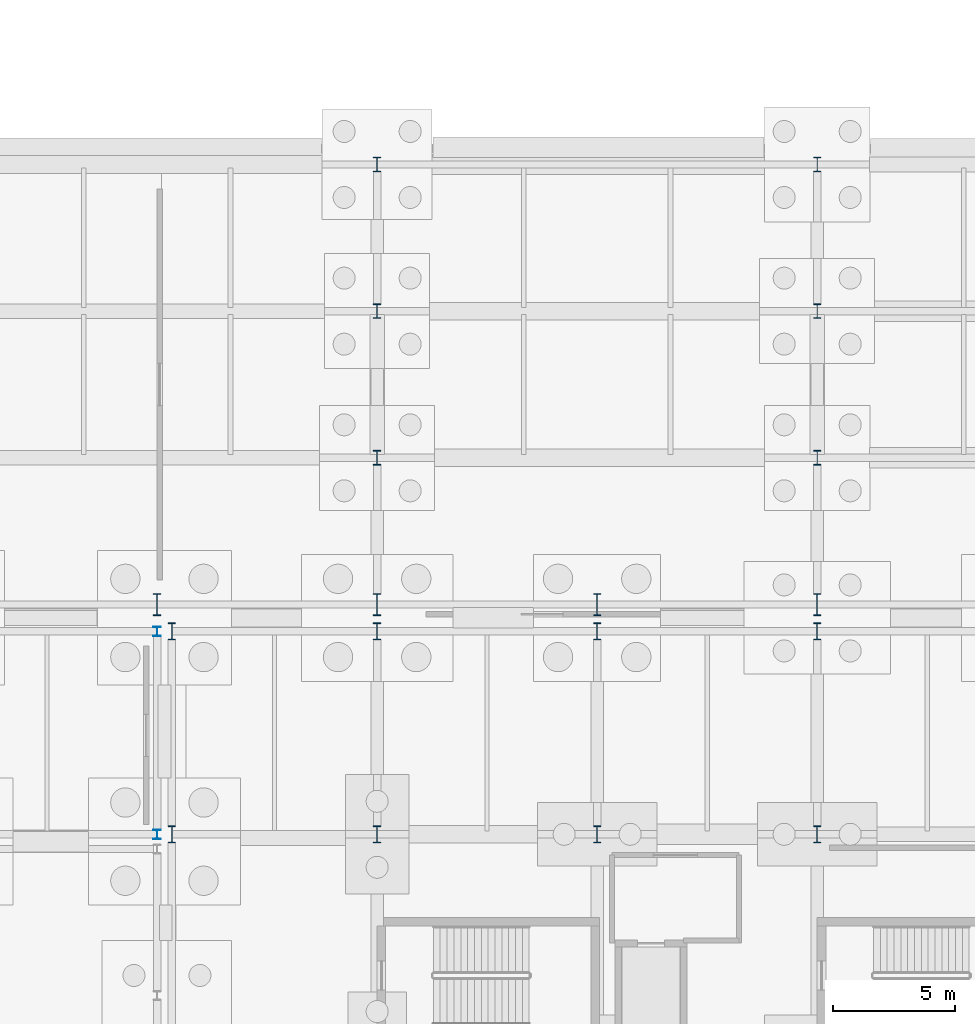
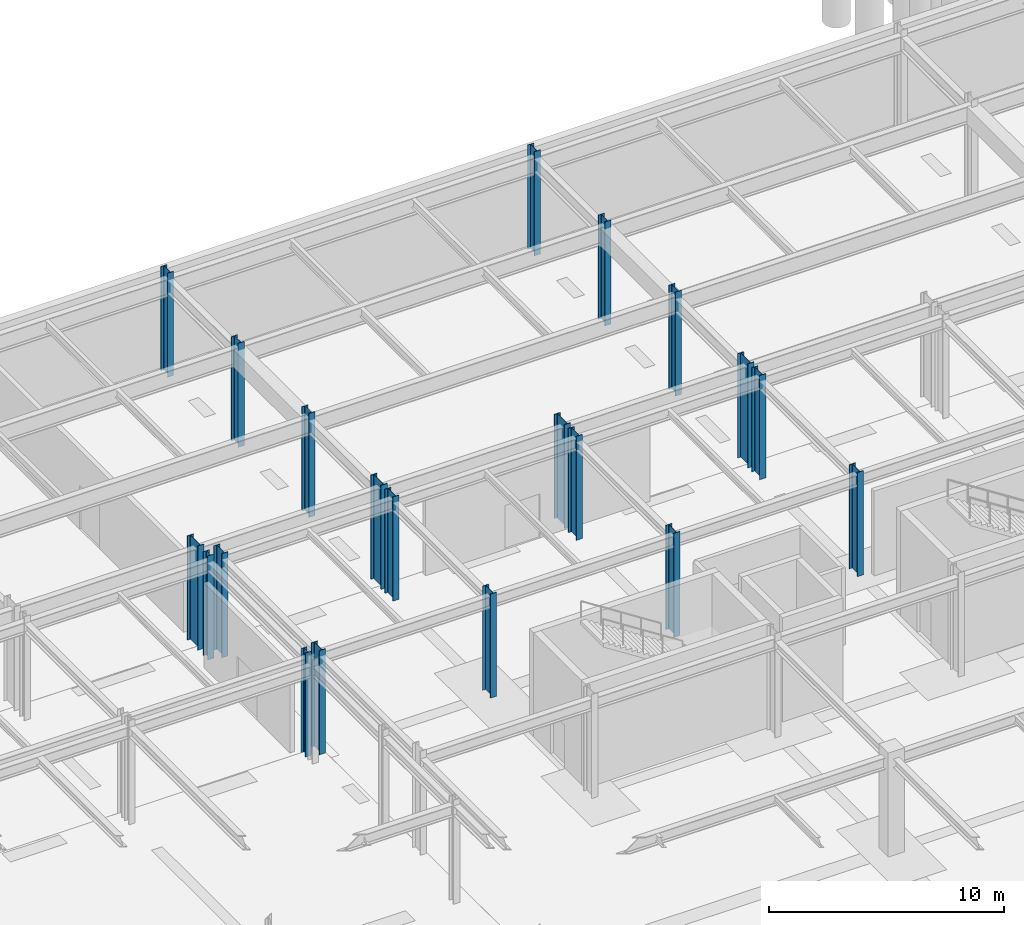
# One storey, part 19 of 65: 20 columns.
"""IFC4 building model written with IfcOpenShell, lengths in metres."""

import ifcopenshell
import ifcopenshell.guid

model = None  # the IFC model being written
_history = None  # IfcOwnerHistory: only IFC2X3 demands one
_inside = {}  # id of a spatial element -> (the spatial element, [elements in it])
_under = {}  # id of a project, library or spatial element -> (it, [spatial elements below it])
_declared = {}  # id of a project -> (the project, [libraries it declares])
_typed = {}  # id of a type object -> (the type object, [elements of that type])
_made_of = {}  # id of a material, layer set ... -> (it, [elements and type objects made of it])


def new_model(schema):
    """Start an empty IFC model of exactly this schema.

    Asked for "IFC4X3", IfcOpenShell would pick the latest addendum, in which some entities
    have other attributes; the version numbers below select the first issue.
    IFC2X3 requires an IfcOwnerHistory on every rooted entity: one is made here for all.
    """
    global model, _history
    if schema == "IFC4X3":
        model = ifcopenshell.file(schema_version=(4, 3, 0, 0))
    else:
        model = ifcopenshell.file(schema=schema)
    _inside.clear()
    _under.clear()
    _declared.clear()
    _typed.clear()
    _made_of.clear()
    _history = None
    if model.schema == "IFC2X3":
        org = make("IfcOrganization", Name="unknown")
        user = make(
            "IfcPersonAndOrganization",
            ThePerson=make("IfcPerson", FamilyName="unknown"),
            TheOrganization=org,
        )
        app = make(
            "IfcApplication",
            ApplicationDeveloper=org,
            Version="unknown",
            ApplicationFullName="unknown",
            ApplicationIdentifier="unknown",
        )
        _history = make(
            "IfcOwnerHistory",
            OwningUser=user,
            OwningApplication=app,
            ChangeAction="ADDED",
            CreationDate=0,
        )
    return model


def make(cls, **values):
    """One entity of the class cls with the attributes given. An attribute that is None is left unset."""
    return model.create_entity(
        cls, **{name: value for name, value in values.items() if value is not None}
    )


def rooted(cls, **values):
    """An entity with a GlobalId (a new one), such as an element, a storey or a relation."""
    return make(cls, GlobalId=ifcopenshell.guid.new(), OwnerHistory=_history, **values)


def si_unit(unit_type, name, prefix=None):
    """IfcSIUnit, for example si_unit("LENGTHUNIT", "METRE", prefix="MILLI")."""
    return make("IfcSIUnit", UnitType=unit_type, Prefix=prefix, Name=name)


def assignment(units):
    """IfcUnitAssignment: the units of a project."""
    return None if units is None else make("IfcUnitAssignment", Units=units)


def point(xyz):
    """IfcCartesianPoint."""
    return None if xyz is None else make("IfcCartesianPoint", Coordinates=xyz)


def direction(xyz):
    """IfcDirection."""
    return None if xyz is None else make("IfcDirection", DirectionRatios=xyz)


def frame(location, z_axis=None, x_axis=None):
    """IfcAxis2Placement3D, a coordinate frame: its origin and axes. An axis left out is left unset."""
    return make(
        "IfcAxis2Placement3D",
        Location=point(location),
        Axis=direction(z_axis),
        RefDirection=direction(x_axis),
    )


def frame_2d(location, x_axis=None):
    """IfcAxis2Placement2D, a coordinate frame in the plane: its origin and x axis."""
    return make(
        "IfcAxis2Placement2D", Location=point(location), RefDirection=direction(x_axis)
    )


def origin():
    """The frame at (0, 0, 0) with its axes left unset."""
    return frame((0.0, 0.0, 0.0))


def origin_2d():
    """The frame at (0, 0) in the plane with its x axis left unset."""
    return frame_2d((0.0, 0.0))


def place(relative_to, where):
    """IfcLocalPlacement: puts the frame where relative to a parent placement (None: the world)."""
    return make(
        "IfcLocalPlacement", PlacementRelTo=relative_to, RelativePlacement=where
    )


def context(
    kind, dimensions, precision=None, world=None, true_north=None, identifier=None
):
    """IfcGeometricRepresentationContext, for example the 3D "Model" context."""
    return make(
        "IfcGeometricRepresentationContext",
        ContextIdentifier=identifier,
        ContextType=kind,
        CoordinateSpaceDimension=dimensions,
        Precision=precision,
        WorldCoordinateSystem=world,
        TrueNorth=true_north,
    )


def subcontext(parent, identifier, kind, view, scale=None):
    """IfcGeometricRepresentationSubContext, for example "Body" below "Model"."""
    return make(
        "IfcGeometricRepresentationSubContext",
        ContextIdentifier=identifier,
        ContextType=kind,
        ParentContext=parent,
        TargetScale=scale,
        TargetView=view,
    )


def project(units=None, contexts=None):
    """IfcProject with its units and contexts."""
    return rooted(
        "IfcProject",
        Name="project",
        RepresentationContexts=contexts,
        UnitsInContext=assignment(units),
    )


def spatial(cls, under=None, at=None, **own):
    """A site, building, storey or space (cls), placed at a placement, below another one or the project."""
    s = rooted(cls, ObjectPlacement=at, **own)
    if under is not None:
        _under.setdefault(under.id(), (under, []))[1].append(s)
    return s


def profile(cls, at=None, kind="AREA", **sizes):
    """A parametric profile (cls). Its sizes go by their IFC names, for example OverallWidth=200.0."""
    return make(cls, ProfileType=kind, Position=at, **sizes)


def i_section(**sizes):
    """IfcIShapeProfileDef."""
    return profile("IfcIShapeProfileDef", **sizes)


def extrude(swept, where, along, depth):
    """IfcExtrudedAreaSolid: the profile swept, set in the frame where, extruded along a direction by depth."""
    return make(
        "IfcExtrudedAreaSolid",
        SweptArea=swept,
        Position=where,
        ExtrudedDirection=direction(along),
        Depth=depth,
    )


def shape(context_of_items, identifier, shape_type, items):
    """IfcShapeRepresentation: the items that make up one representation, for example the "Body"."""
    return make(
        "IfcShapeRepresentation",
        ContextOfItems=context_of_items,
        RepresentationIdentifier=identifier,
        RepresentationType=shape_type,
        Items=items,
    )


def material(Name=None, Category=None):
    """IfcMaterial."""
    return make("IfcMaterial", Name=Name, Category=Category)


def material_profile(
    of_material, cross_section, Name=None, Category=None, Priority=None
):
    """IfcMaterialProfile: a cross section and its material."""
    return make(
        "IfcMaterialProfile",
        Name=Name,
        Material=of_material,
        Profile=cross_section,
        Priority=Priority,
        Category=Category,
    )


def profile_set(profiles, Name=None, composite=None):
    """IfcMaterialProfileSet."""
    return make(
        "IfcMaterialProfileSet",
        Name=Name,
        MaterialProfiles=profiles,
        CompositeProfile=composite,
    )


def made_of(thing, what):
    """Note that an element or type object is made of a material, layer set ...; save() writes the relation."""
    if what is not None:
        _made_of.setdefault(what.id(), (what, []))[1].append(thing)
    return thing


def type_object(cls, material=None, **own):
    """A type object (cls), such as IfcWallType, which elements share."""
    return made_of(rooted(cls, **own), material)


def element(
    cls,
    number,
    at=None,
    inside=None,
    cuts=None,
    type_object=None,
    material=None,
    context=None,
    identifier="Body",
    shape_type=None,
    held_by="IfcProductDefinitionShape",
    body=None,
    shapes=None,
    **own,
):
    """One element of the class cls, such as IfcWall. Its Tag is "e" and its number.

    at: its placement. inside: the storey or other place that contains it. cuts: it is an
    opening in that element (IfcRelVoidsElement). A single representation is given by context,
    identifier, shape_type and body (its items); several are given by shapes. held_by: the class
    of the entity that holds the representations. save() writes the other relations.
    """
    e = rooted(cls, Tag="e%d" % number, ObjectPlacement=at, **own)
    if body is not None:
        shapes = [shape(context, identifier, shape_type, body)]
    if shapes is not None:
        e.Representation = make(held_by, Representations=shapes)
    if inside is not None:
        _inside.setdefault(inside.id(), (inside, []))[1].append(e)
    if cuts is not None:
        rooted(
            "IfcRelVoidsElement", RelatingBuildingElement=cuts, RelatedOpeningElement=e
        )
    if type_object is not None:
        _typed.setdefault(type_object.id(), (type_object, []))[1].append(e)
    return made_of(e, material)


def aggregate(whole, parts):
    """IfcRelAggregates: a whole, such as a stair, and the parts it consists of."""
    return rooted("IfcRelAggregates", RelatingObject=whole, RelatedObjects=parts)


def save(model, path):
    """Write the relations noted so far, then the file.

    IfcRelAggregates (storeys below a building ...), IfcRelContainedInSpatialStructure (elements
    in a storey), IfcRelDefinesByType, IfcRelAssociatesMaterial and IfcRelDeclares: one each for
    every whole, place, type object, material and project.
    """
    for whole, parts in _under.values():
        aggregate(whole, parts)
    for where, things in _inside.values():
        rooted(
            "IfcRelContainedInSpatialStructure",
            RelatedElements=things,
            RelatingStructure=where,
        )
    for kind, things in _typed.values():
        rooted("IfcRelDefinesByType", RelatedObjects=things, RelatingType=kind)
    for what, things in _made_of.values():
        rooted("IfcRelAssociatesMaterial", RelatedObjects=things, RelatingMaterial=what)
    for by, libraries in _declared.values():
        rooted("IfcRelDeclares", RelatingContext=by, RelatedDefinitions=libraries)
    model.write(path)


model = new_model("IFC4")

# Units and contexts
model_context = context("Model", 3, precision=1e-05, world=origin(), true_north=direction((0.0, 1.0)))
body_context = subcontext(model_context, "Body", "Model", "MODEL_VIEW")
ifc_project = project(units=[si_unit("LENGTHUNIT", "METRE"), si_unit("AREAUNIT", "SQUARE_METRE"), si_unit("VOLUMEUNIT", "CUBIC_METRE"), si_unit("PLANEANGLEUNIT", "RADIAN"), si_unit("MASSUNIT", "GRAM", prefix="KILO")], contexts=[model_context])

# Site, building, storey
site_placement = place(None, origin())
site = spatial("IfcSite", under=ifc_project, at=site_placement, CompositionType="ELEMENT")
building_placement = place(site_placement, origin())
building = spatial("IfcBuilding", under=site, at=building_placement, Name="Kaldris Quays Convention Centre", CompositionType="ELEMENT")
storey_placement = place(building_placement, frame((0.0, 0.0, -5.39990234375)))
storey = spatial("IfcBuildingStorey", under=building, at=storey_placement, Name="B1", CompositionType="ELEMENT", Elevation=-5.39990234375)

# Columns
ifc_material = material(Name="Steel S355J2", Category="steel")
ifc_material_profile_1 = material_profile(ifc_material, i_section(OverallWidth=0.300048828125, OverallDepth=0.89990234375, WebThickness=0.0185546875, FlangeThickness=0.034912109375, FilletRadius=0.030029296875, at=origin_2d()), Name="HEB 900")
ifc_profile_set_1 = profile_set([ifc_material_profile_1], Name="Steel S355J2")
column_type_1 = type_object("IfcColumnType", Name="STRUCTURAL COLUMN CL03", PredefinedType="COLUMN", material=ifc_profile_set_1)
for number, where, z_axis, x_axis, name in (
    (1, (83.0, 56.0, 0.0), (0.0, 0.0, 1.0), (1.0, 0.0, 0.0), "B1 V1 Column CL03 (83.00, 56.00)"),
    (2, (92.0, 56.0, 0.0), (0.0, 0.0, 1.0), (1.0, 0.0, 0.0), "B1 V1 Column CL03 (92.00, 56.00)"),
    (3, (101.0, 56.0, 0.0), (0.0, 0.0, 1.0), (1.0, 0.0, 0.0), "B1 V1 Column CL03 (101.00, 56.00)"),
    (4, (110.0, 56.0, 0.0), (0.0, 0.0, 1.0), (1.0, 0.0, 0.0), "B1 V1 Column CL03 (110.00, 56.00)"),
):
    element("IfcColumn", number, at=place(storey_placement, frame(where, z_axis=z_axis, x_axis=x_axis)), inside=storey, type_object=column_type_1, Name=name, PredefinedType="COLUMN", context=body_context, shape_type="SweptSolid", body=[
        extrude(i_section(OverallWidth=0.300048828125, OverallDepth=0.89990234375, WebThickness=0.0185546875, FlangeThickness=0.034912109375, FilletRadius=0.030029296875, at=origin_2d()), origin(), (0.0, 0.0, 1.0), 5.39990234375),
    ])
ifc_material_profile_2 = material_profile(ifc_material, i_section(OverallWidth=0.300048828125, OverallDepth=0.699951171875, WebThickness=0.01708984375, FlangeThickness=0.031982421875, FilletRadius=0.027099609375, at=origin_2d()), Name="HEB 700")
ifc_profile_set_2 = profile_set([ifc_material_profile_2], Name="Steel S355J2")
column_type_2 = type_object("IfcColumnType", Name="STRUCTURAL COLUMN CL05", PredefinedType="COLUMN", material=ifc_profile_set_2)
for number, where, z_axis, x_axis, name in (
    (5, (83.60009765625, 46.60009765625, 0.0), (0.0, 0.0, 1.0), (1.0, 0.0, 0.0), "B1 V4 Column CL05 (83.60, 46.60)"),
    (6, (83.60009765625, 54.89990234375, 0.0), (0.0, 0.0, 1.0), (1.0, 0.0, 0.0), "B1 V4 Column CL05 (83.60, 54.90)"),
    (7, (92.0, 46.60009765625, 0.0), (0.0, 0.0, 1.0), (1.0, 0.0, 0.0), "B1 V4 Column CL05 (92.00, 46.60)"),
    (8, (92.0, 54.89990234375, 0.0), (0.0, 0.0, 1.0), (1.0, 0.0, 0.0), "B1 V4 Column CL05 (92.00, 54.90)"),
    (9, (101.0, 46.60009765625, 0.0), (0.0, 0.0, 1.0), (1.0, 0.0, 0.0), "B1 V4 Column CL05 (101.00, 46.60)"),
    (10, (101.0, 54.89990234375, 0.0), (0.0, 0.0, 1.0), (1.0, 0.0, 0.0), "B1 V4 Column CL05 (101.00, 54.90)"),
    (11, (110.0, 46.60009765625, 0.0), (0.0, 0.0, 1.0), (1.0, 0.0, 0.0), "B1 V4 Column CL05 (110.00, 46.60)"),
    (12, (110.0, 54.89990234375, 0.0), (0.0, 0.0, 1.0), (1.0, 0.0, 0.0), "B1 V4 Column CL05 (110.00, 54.90)"),
):
    element("IfcColumn", number, at=place(storey_placement, frame(where, z_axis=z_axis, x_axis=x_axis)), inside=storey, type_object=column_type_2, Name=name, PredefinedType="COLUMN", context=body_context, shape_type="SweptSolid", body=[
        extrude(i_section(OverallWidth=0.300048828125, OverallDepth=0.699951171875, WebThickness=0.01708984375, FlangeThickness=0.031982421875, FilletRadius=0.027099609375, at=origin_2d()), origin(), (0.0, 0.0, 1.0), 5.39990234375),
    ])
ifc_material_profile_3 = material_profile(ifc_material, i_section(OverallWidth=0.300048828125, OverallDepth=0.60009765625, WebThickness=0.015380859375, FlangeThickness=0.030029296875, FilletRadius=0.027099609375, at=origin_2d()), Name="HEB 600")
ifc_profile_set_3 = profile_set([ifc_material_profile_3], Name="Steel S355J2")
column_type_3 = type_object("IfcColumnType", Name="STRUCTURAL COLUMN CL06", PredefinedType="COLUMN", material=ifc_profile_set_3)
for number, where, z_axis, x_axis, name in (
    (13, (92.0, 62.0, 0.0), (0.0, 0.0, 1.0), (1.0, 0.0, 0.0), "B1 V1 Column CL06 (92.00, 62.00)"),
    (14, (92.0, 68.0, 0.0), (0.0, 0.0, 1.0), (1.0, 0.0, 0.0), "B1 V1 Column CL06 (92.00, 68.00)"),
    (15, (92.0, 74.0, 0.0), (0.0, 0.0, 1.0), (1.0, 0.0, 0.0), "B1 V1 Column CL06 (92.00, 74.00)"),
    (16, (110.0, 62.0, 0.0), (0.0, 0.0, 1.0), (1.0, 0.0, 0.0), "B1 V1 Column CL06 (110.00, 62.00)"),
    (17, (110.0, 68.0, 0.0), (0.0, 0.0, 1.0), (1.0, 0.0, 0.0), "B1 V1 Column CL06 (110.00, 68.00)"),
    (18, (110.0, 74.0, 0.0), (0.0, 0.0, 1.0), (1.0, 0.0, 0.0), "B1 V1 Column CL06 (110.00, 74.00)"),
):
    element("IfcColumn", number, at=place(storey_placement, frame(where, z_axis=z_axis, x_axis=x_axis)), inside=storey, type_object=column_type_3, Name=name, PredefinedType="COLUMN", context=body_context, shape_type="SweptSolid", body=[
        extrude(i_section(OverallWidth=0.300048828125, OverallDepth=0.60009765625, WebThickness=0.015380859375, FlangeThickness=0.030029296875, FilletRadius=0.027099609375, at=origin_2d()), origin(), (0.0, 0.0, 1.0), 5.39990234375),
    ])
ifc_material_profile_4 = material_profile(ifc_material, i_section(OverallWidth=0.300048828125, OverallDepth=0.389892578125, WebThickness=0.010986328125, FlangeThickness=0.01904296875, FilletRadius=0.027099609375, at=origin_2d()), Name="HEA 400")
ifc_profile_set_4 = profile_set([ifc_material_profile_4], Name="Steel S355J2")
column_type_4 = type_object("IfcColumnType", Name="STRUCTURAL COLUMN CL12", PredefinedType="COLUMN", material=ifc_profile_set_4)
for number, where, z_axis, x_axis, name in (
    (19, (83.0, 46.60009765625, 0.0), (0.0, 0.0, 1.0), (1.0, 0.0, 0.0), "B1 V4 Column CL12 (83.00, 46.60)"),
    (20, (83.0, 54.89990234375, 0.0), (0.0, 0.0, 1.0), (1.0, 0.0, 0.0), "B1 V4 Column CL12 (83.00, 54.90)"),
):
    element("IfcColumn", number, at=place(storey_placement, frame(where, z_axis=z_axis, x_axis=x_axis)), inside=storey, type_object=column_type_4, Name=name, PredefinedType="COLUMN", context=body_context, shape_type="SweptSolid", body=[
        extrude(i_section(OverallWidth=0.300048828125, OverallDepth=0.389892578125, WebThickness=0.010986328125, FlangeThickness=0.01904296875, FilletRadius=0.027099609375, at=origin_2d()), origin(), (0.0, 0.0, 1.0), 5.39990234375),
    ])

save(model, "model.ifc")
